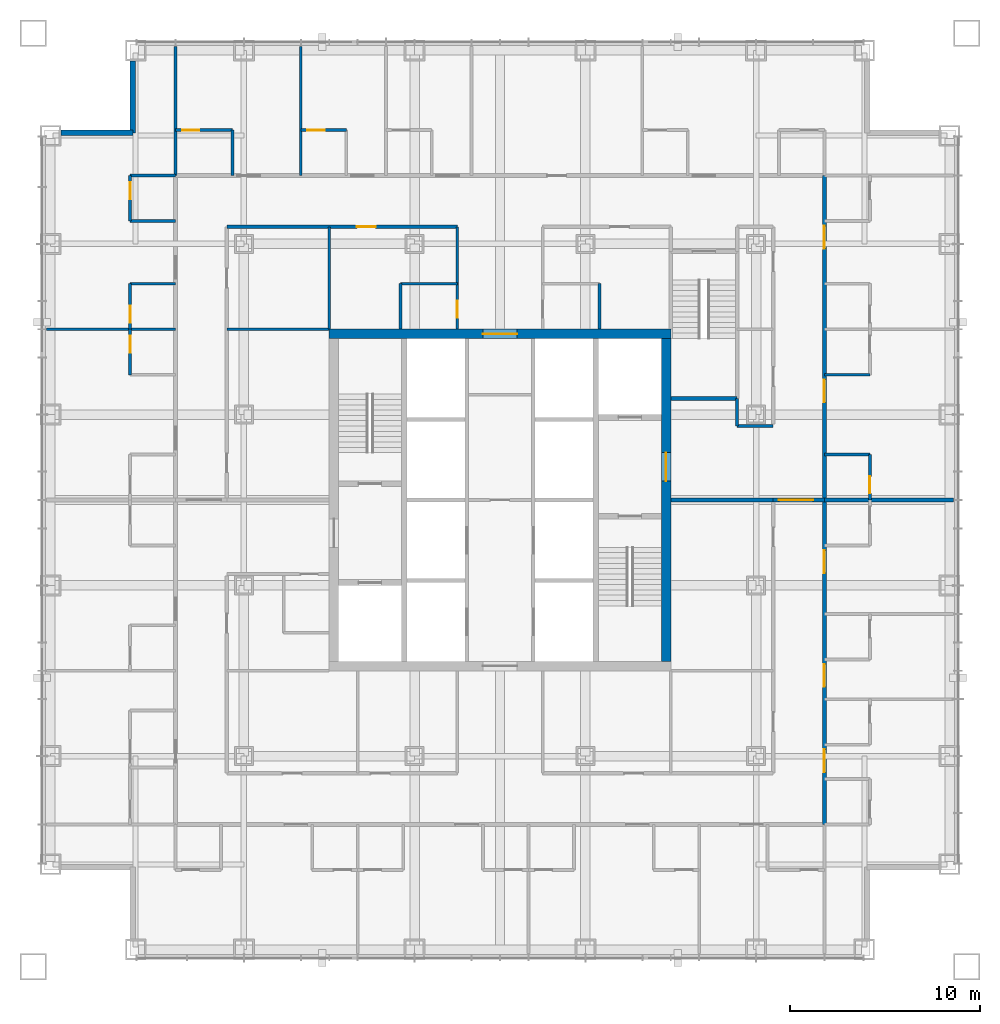
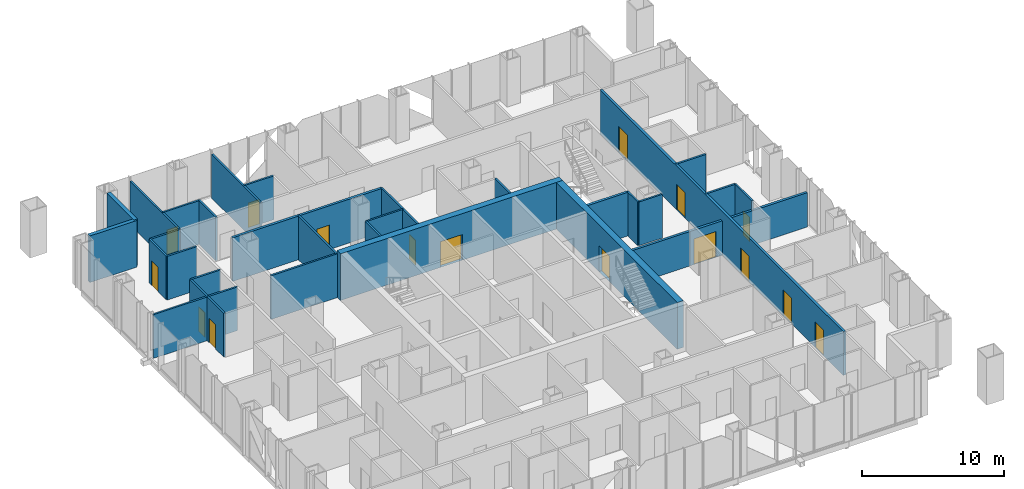
# One storey, part 11 of 18: 33 walls, 16 doors, 16 openings.
"""IFC4 building model written with IfcOpenShell, lengths in metres."""

import ifcopenshell
import ifcopenshell.guid

model = None  # the IFC model being written
_history = None  # IfcOwnerHistory: only IFC2X3 demands one
_inside = {}  # id of a spatial element -> (the spatial element, [elements in it])
_under = {}  # id of a project, library or spatial element -> (it, [spatial elements below it])
_declared = {}  # id of a project -> (the project, [libraries it declares])
_typed = {}  # id of a type object -> (the type object, [elements of that type])
_made_of = {}  # id of a material, layer set ... -> (it, [elements and type objects made of it])


def new_model(schema):
    """Start an empty IFC model of exactly this schema.

    Asked for "IFC4X3", IfcOpenShell would pick the latest addendum, in which some entities
    have other attributes; the version numbers below select the first issue.
    IFC2X3 requires an IfcOwnerHistory on every rooted entity: one is made here for all.
    """
    global model, _history
    if schema == "IFC4X3":
        model = ifcopenshell.file(schema_version=(4, 3, 0, 0))
    else:
        model = ifcopenshell.file(schema=schema)
    _inside.clear()
    _under.clear()
    _declared.clear()
    _typed.clear()
    _made_of.clear()
    _history = None
    if model.schema == "IFC2X3":
        org = make("IfcOrganization", Name="unknown")
        user = make(
            "IfcPersonAndOrganization",
            ThePerson=make("IfcPerson", FamilyName="unknown"),
            TheOrganization=org,
        )
        app = make(
            "IfcApplication",
            ApplicationDeveloper=org,
            Version="unknown",
            ApplicationFullName="unknown",
            ApplicationIdentifier="unknown",
        )
        _history = make(
            "IfcOwnerHistory",
            OwningUser=user,
            OwningApplication=app,
            ChangeAction="ADDED",
            CreationDate=0,
        )
    return model


def make(cls, **values):
    """One entity of the class cls with the attributes given. An attribute that is None is left unset."""
    return model.create_entity(
        cls, **{name: value for name, value in values.items() if value is not None}
    )


def rooted(cls, **values):
    """An entity with a GlobalId (a new one), such as an element, a storey or a relation."""
    return make(cls, GlobalId=ifcopenshell.guid.new(), OwnerHistory=_history, **values)


def si_unit(unit_type, name, prefix=None):
    """IfcSIUnit, for example si_unit("LENGTHUNIT", "METRE", prefix="MILLI")."""
    return make("IfcSIUnit", UnitType=unit_type, Prefix=prefix, Name=name)


def assignment(units):
    """IfcUnitAssignment: the units of a project."""
    return None if units is None else make("IfcUnitAssignment", Units=units)


def point(xyz):
    """IfcCartesianPoint."""
    return None if xyz is None else make("IfcCartesianPoint", Coordinates=xyz)


def direction(xyz):
    """IfcDirection."""
    return None if xyz is None else make("IfcDirection", DirectionRatios=xyz)


def frame(location, z_axis=None, x_axis=None):
    """IfcAxis2Placement3D, a coordinate frame: its origin and axes. An axis left out is left unset."""
    return make(
        "IfcAxis2Placement3D",
        Location=point(location),
        Axis=direction(z_axis),
        RefDirection=direction(x_axis),
    )


def frame_2d(location, x_axis=None):
    """IfcAxis2Placement2D, a coordinate frame in the plane: its origin and x axis."""
    return make(
        "IfcAxis2Placement2D", Location=point(location), RefDirection=direction(x_axis)
    )


def origin():
    """The frame at (0, 0, 0) with its axes left unset."""
    return frame((0.0, 0.0, 0.0))


def place(relative_to, where):
    """IfcLocalPlacement: puts the frame where relative to a parent placement (None: the world)."""
    return make(
        "IfcLocalPlacement", PlacementRelTo=relative_to, RelativePlacement=where
    )


def context(
    kind, dimensions, precision=None, world=None, true_north=None, identifier=None
):
    """IfcGeometricRepresentationContext, for example the 3D "Model" context."""
    return make(
        "IfcGeometricRepresentationContext",
        ContextIdentifier=identifier,
        ContextType=kind,
        CoordinateSpaceDimension=dimensions,
        Precision=precision,
        WorldCoordinateSystem=world,
        TrueNorth=true_north,
    )


def subcontext(parent, identifier, kind, view, scale=None):
    """IfcGeometricRepresentationSubContext, for example "Body" below "Model"."""
    return make(
        "IfcGeometricRepresentationSubContext",
        ContextIdentifier=identifier,
        ContextType=kind,
        ParentContext=parent,
        TargetScale=scale,
        TargetView=view,
    )


def project(units=None, contexts=None):
    """IfcProject with its units and contexts."""
    return rooted(
        "IfcProject",
        Name="project",
        RepresentationContexts=contexts,
        UnitsInContext=assignment(units),
    )


def spatial(cls, under=None, at=None, **own):
    """A site, building, storey or space (cls), placed at a placement, below another one or the project."""
    s = rooted(cls, ObjectPlacement=at, **own)
    if under is not None:
        _under.setdefault(under.id(), (under, []))[1].append(s)
    return s


def profile(cls, at=None, kind="AREA", **sizes):
    """A parametric profile (cls). Its sizes go by their IFC names, for example OverallWidth=200.0."""
    return make(cls, ProfileType=kind, Position=at, **sizes)


def rectangle(**sizes):
    """IfcRectangleProfileDef."""
    return profile("IfcRectangleProfileDef", **sizes)


def extrude(swept, where, along, depth):
    """IfcExtrudedAreaSolid: the profile swept, set in the frame where, extruded along a direction by depth."""
    return make(
        "IfcExtrudedAreaSolid",
        SweptArea=swept,
        Position=where,
        ExtrudedDirection=direction(along),
        Depth=depth,
    )


def shape(context_of_items, identifier, shape_type, items):
    """IfcShapeRepresentation: the items that make up one representation, for example the "Body"."""
    return make(
        "IfcShapeRepresentation",
        ContextOfItems=context_of_items,
        RepresentationIdentifier=identifier,
        RepresentationType=shape_type,
        Items=items,
    )


def material(Name=None, Category=None):
    """IfcMaterial."""
    return make("IfcMaterial", Name=Name, Category=Category)


def layer(
    of_material, thickness, ventilated=None, Name=None, Category=None, Priority=None
):
    """IfcMaterialLayer: one layer of a wall or slab, of a material (None: an air gap)."""
    return make(
        "IfcMaterialLayer",
        Material=of_material,
        LayerThickness=thickness,
        IsVentilated=ventilated,
        Name=Name,
        Category=Category,
        Priority=Priority,
    )


def layer_set(layers, Name=None):
    """IfcMaterialLayerSet."""
    return make("IfcMaterialLayerSet", MaterialLayers=layers, LayerSetName=Name)


def made_of(thing, what):
    """Note that an element or type object is made of a material, layer set ...; save() writes the relation."""
    if what is not None:
        _made_of.setdefault(what.id(), (what, []))[1].append(thing)
    return thing


def type_object(cls, material=None, **own):
    """A type object (cls), such as IfcWallType, which elements share."""
    return made_of(rooted(cls, **own), material)


def element(
    cls,
    number,
    at=None,
    inside=None,
    cuts=None,
    type_object=None,
    material=None,
    context=None,
    identifier="Body",
    shape_type=None,
    held_by="IfcProductDefinitionShape",
    body=None,
    shapes=None,
    **own,
):
    """One element of the class cls, such as IfcWall. Its Tag is "e" and its number.

    at: its placement. inside: the storey or other place that contains it. cuts: it is an
    opening in that element (IfcRelVoidsElement). A single representation is given by context,
    identifier, shape_type and body (its items); several are given by shapes. held_by: the class
    of the entity that holds the representations. save() writes the other relations.
    """
    e = rooted(cls, Tag="e%d" % number, ObjectPlacement=at, **own)
    if body is not None:
        shapes = [shape(context, identifier, shape_type, body)]
    if shapes is not None:
        e.Representation = make(held_by, Representations=shapes)
    if inside is not None:
        _inside.setdefault(inside.id(), (inside, []))[1].append(e)
    if cuts is not None:
        rooted(
            "IfcRelVoidsElement", RelatingBuildingElement=cuts, RelatedOpeningElement=e
        )
    if type_object is not None:
        _typed.setdefault(type_object.id(), (type_object, []))[1].append(e)
    return made_of(e, material)


def fill(opening, filler):
    """IfcRelFillsElement: the door or window that sits in an opening."""
    return rooted(
        "IfcRelFillsElement",
        RelatingOpeningElement=opening,
        RelatedBuildingElement=filler,
    )


def aggregate(whole, parts):
    """IfcRelAggregates: a whole, such as a stair, and the parts it consists of."""
    return rooted("IfcRelAggregates", RelatingObject=whole, RelatedObjects=parts)


def save(model, path):
    """Write the relations noted so far, then the file.

    IfcRelAggregates (storeys below a building ...), IfcRelContainedInSpatialStructure (elements
    in a storey), IfcRelDefinesByType, IfcRelAssociatesMaterial and IfcRelDeclares: one each for
    every whole, place, type object, material and project.
    """
    for whole, parts in _under.values():
        aggregate(whole, parts)
    for where, things in _inside.values():
        rooted(
            "IfcRelContainedInSpatialStructure",
            RelatedElements=things,
            RelatingStructure=where,
        )
    for kind, things in _typed.values():
        rooted("IfcRelDefinesByType", RelatedObjects=things, RelatingType=kind)
    for what, things in _made_of.values():
        rooted("IfcRelAssociatesMaterial", RelatedObjects=things, RelatingMaterial=what)
    for by, libraries in _declared.values():
        rooted("IfcRelDeclares", RelatingContext=by, RelatedDefinitions=libraries)
    model.write(path)


model = new_model("IFC4")

# Units and contexts
model_context = context("Model", 3, precision=1e-05, world=origin(), true_north=direction((0.0, 1.0)))
body_context = subcontext(model_context, "Body", "Model", "MODEL_VIEW")
ifc_project = project(units=[si_unit("LENGTHUNIT", "METRE"), si_unit("AREAUNIT", "SQUARE_METRE"), si_unit("VOLUMEUNIT", "CUBIC_METRE"), si_unit("PLANEANGLEUNIT", "RADIAN"), si_unit("MASSUNIT", "GRAM", prefix="KILO")], contexts=[model_context])

# Site, building, storey
site_placement = place(None, origin())
site = spatial("IfcSite", under=ifc_project, at=site_placement, CompositionType="ELEMENT")
building_placement = place(site_placement, origin())
building = spatial("IfcBuilding", under=site, at=building_placement, Name="Malebo Sky Hospital", CompositionType="ELEMENT")
storey_placement = place(building_placement, frame((0.0, 0.0, 112.0)))
storey = spatial("IfcBuildingStorey", under=building, at=storey_placement, Name="L26", CompositionType="ELEMENT", Elevation=112.0)

# Wall, opening, door
ifc_material_1 = material(Name="Concrete C80/95", Category="concrete")
ifc_layer_1 = layer(ifc_material_1, 0.5)
ifc_layer_set_1 = layer_set([ifc_layer_1], Name="CORE WALL 500")
wall_type_1 = type_object("IfcWallType", Name="CORE WALL 500", PredefinedType="SHEAR", material=ifc_layer_set_1)
wall_1_placement = place(storey_placement, frame((51.0, 70.75, 0.0), z_axis=(0.0, 0.0, 1.0), x_axis=(1.0, 0.0, 0.0)))
wall_1 = element("IfcWall", 1, at=wall_1_placement, inside=storey, type_object=wall_type_1, Name="Core wall N L26", PredefinedType="SHEAR", context=body_context, shape_type="SweptSolid", body=[
    extrude(rectangle(XDim=18.0, YDim=0.5, at=frame_2d((9.0, 0.0))), origin(), (0.0, 0.0, 1.0), 4.0),
])
opening_1_placement = place(wall_1_placement, frame((8.10009765625, 0.0, 0.0)))
opening_1 = element("IfcOpeningElement", 2, at=opening_1_placement, cuts=wall_1, Name="Opening D06", PredefinedType="OPENING", context=body_context, shape_type="SweptSolid", body=[
    extrude(rectangle(XDim=1.800048828125, YDim=2.199951171875, at=frame_2d((0.89990234375, 1.10009765625))), frame((0.0, 0.260009765625, 0.0), z_axis=(0.0, -1.0, 0.0), x_axis=(1.0, 0.0, 0.0)), (0.0, 0.0, 1.0), 0.52001953125),
])
ifc_material_2 = material(Name="Hardwood-faced door leaf in steel frame", Category="steel")
door_type_1 = type_object("IfcDoorType", Name="LOBBY DOOR PAIR 1800", OperationType="DOUBLE_DOOR_SINGLE_SWING", PredefinedType="DOOR", material=ifc_material_2)
door_1_placement = place(opening_1_placement, origin())
door_1 = element("IfcDoor", 3, at=door_1_placement, inside=storey, type_object=door_type_1, Name="vending room door north", OperationType="DOUBLE_DOOR_SINGLE_SWING", OverallHeight=2.199951171875, OverallWidth=1.800048828125, PredefinedType="DOOR", context=body_context, shape_type="SweptSolid", body=[
    extrude(rectangle(XDim=1.800048828125, YDim=2.199951171875, at=frame_2d((0.89990234375, 1.10009765625))), frame((0.0, 0.02490234375, 0.0), z_axis=(0.0, -1.0, 0.0), x_axis=(1.0, 0.0, 0.0)), (0.0, 0.0, 1.0), 0.050048828125),
])
fill(opening_1, door_1)

wall_2_placement = place(storey_placement, frame((68.75, 53.5, 0.0), z_axis=(0.0, 0.0, 1.0), x_axis=(0.0, 1.0, 0.0)))
wall_2 = element("IfcWall", 4, at=wall_2_placement, inside=storey, type_object=wall_type_1, Name="Core wall E L26", PredefinedType="SHEAR", context=body_context, shape_type="SweptSolid", body=[
    extrude(rectangle(XDim=17.0, YDim=0.5, at=frame_2d((8.5, 0.0))), origin(), (0.0, 0.0, 1.0), 4.0),
])
opening_2_placement = place(wall_2_placement, frame((9.5, 0.0, 0.0)))
opening_2 = element("IfcOpeningElement", 5, at=opening_2_placement, cuts=wall_2, Name="Opening D07", PredefinedType="OPENING", context=body_context, shape_type="SweptSolid", body=[
    extrude(rectangle(XDim=1.5, YDim=2.199951171875, at=frame_2d((0.75, 1.10009765625))), frame((0.0, 0.260009765625, 0.0), z_axis=(0.0, -1.0, 0.0), x_axis=(1.0, 0.0, 0.0)), (0.0, 0.0, 1.0), 0.52001953125),
])
door_type_2 = type_object("IfcDoorType", Name="FIRE-FIGHTING LOBBY DOOR PAIR 1500", OperationType="DOUBLE_DOOR_SINGLE_SWING", PredefinedType="DOOR", material=ifc_material_2)
door_2_placement = place(opening_2_placement, origin())
door_2 = element("IfcDoor", 6, at=door_2_placement, inside=storey, type_object=door_type_2, Name="Fire-fighting lobby door east", OperationType="DOUBLE_DOOR_SINGLE_SWING", OverallHeight=2.199951171875, OverallWidth=1.5, PredefinedType="DOOR", context=body_context, shape_type="SweptSolid", body=[
    extrude(rectangle(XDim=1.5, YDim=2.199951171875, at=frame_2d((0.75, 1.10009765625))), frame((0.0, 0.02490234375, 0.0), z_axis=(0.0, -1.0, 0.0), x_axis=(1.0, 0.0, 0.0)), (0.0, 0.0, 1.0), 0.050048828125),
])
fill(opening_2, door_2)

ifc_material_3 = material(Name="Gypsum board on steel studs", Category="steel")
ifc_layer_2 = layer(ifc_material_3, 0.199951171875)
ifc_layer_set_2 = layer_set([ifc_layer_2], Name="CORRIDOR WALL 200")
wall_type_2 = type_object("IfcWallType", Name="CORRIDOR WALL 200", PredefinedType="PARTITIONING", material=ifc_layer_set_2)
wall_3_placement = place(storey_placement, frame((45.60009765625, 76.39990234375, 0.0), z_axis=(0.0, 0.0, 1.0), x_axis=(1.0, 0.0, 0.0)))
wall_3 = element("IfcWall", 7, at=wall_3_placement, inside=storey, type_object=wall_type_2, Name="Corridor Wall 200 NCI1", PredefinedType="PARTITIONING", context=body_context, shape_type="SweptSolid", body=[
    extrude(rectangle(XDim=12.14990234375, YDim=0.199951171875, at=frame_2d((6.074951171875, 0.0))), origin(), (0.0, 0.0, 1.0), 3.75),
])
opening_3_placement = place(wall_3_placement, frame((6.85009765625, 0.0, 0.0)))
opening_3 = element("IfcOpeningElement", 8, at=opening_3_placement, cuts=wall_3, Name="Opening D03", PredefinedType="OPENING", context=body_context, shape_type="SweptSolid", body=[
    extrude(rectangle(XDim=1.0, YDim=2.10009765625, at=frame_2d((0.5, 1.050048828125))), frame((0.0, 0.10986328125, 0.0), z_axis=(0.0, -1.0, 0.0), x_axis=(1.0, 0.0, 0.0)), (0.0, 0.0, 1.0), 0.219970703125),
])
door_type_3 = type_object("IfcDoorType", Name="ROOM DOOR 1000", OperationType="SINGLE_SWING_LEFT", PredefinedType="DOOR", material=ifc_material_2)
door_3_placement = place(opening_3_placement, origin())
door_3 = element("IfcDoor", 9, at=door_3_placement, inside=storey, type_object=door_type_3, Name="Interview room door", OperationType="SINGLE_SWING_LEFT", OverallHeight=2.10009765625, OverallWidth=1.0, PredefinedType="DOOR", context=body_context, shape_type="SweptSolid", body=[
    extrude(rectangle(XDim=1.0, YDim=2.10009765625, at=frame_2d((0.5, 1.050048828125))), frame((0.0, 0.02490234375, 0.0), z_axis=(0.0, -1.0, 0.0), x_axis=(1.0, 0.0, 0.0)), (0.0, 0.0, 1.0), 0.050048828125),
])
fill(opening_3, door_3)

# Wall, openings, doors
wall_4_placement = place(storey_placement, frame((77.10009765625, 79.10009765625, 0.0), z_axis=(0.0, 0.0, 1.0), x_axis=(0.0, -1.0, 0.0)))
wall_4 = element("IfcWall", 10, at=wall_4_placement, inside=storey, type_object=wall_type_2, Name="Corridor Wall 200 ECO", PredefinedType="PARTITIONING", context=body_context, shape_type="SweptSolid", body=[
    extrude(rectangle(XDim=34.2001953125, YDim=0.199951171875, at=frame_2d((17.10009765625, 0.0))), origin(), (0.0, 0.0, 1.0), 3.75),
])
opening_4_placement = place(wall_4_placement, frame((2.64990234375, 0.0, 0.0)))
opening_4 = element("IfcOpeningElement", 11, at=opening_4_placement, cuts=wall_4, Name="Opening D01", PredefinedType="OPENING", context=body_context, shape_type="SweptSolid", body=[
    extrude(rectangle(XDim=1.199951171875, YDim=2.199951171875, at=frame_2d((0.60009765625, 1.10009765625))), frame((0.0, 0.10986328125, 0.0), z_axis=(0.0, -1.0, 0.0), x_axis=(1.0, 0.0, 0.0)), (0.0, 0.0, 1.0), 0.219970703125),
])
opening_5_placement = place(wall_4_placement, frame((10.75, 0.0, 0.0)))
opening_5 = element("IfcOpeningElement", 12, at=opening_5_placement, cuts=wall_4, Name="Opening D01", PredefinedType="OPENING", context=body_context, shape_type="SweptSolid", body=[
    extrude(rectangle(XDim=1.199951171875, YDim=2.199951171875, at=frame_2d((0.60009765625, 1.10009765625))), frame((0.0, 0.10986328125, 0.0), z_axis=(0.0, -1.0, 0.0), x_axis=(1.0, 0.0, 0.0)), (0.0, 0.0, 1.0), 0.219970703125),
])
opening_6_placement = place(wall_4_placement, frame((19.75, 0.0, 0.0)))
opening_6 = element("IfcOpeningElement", 13, at=opening_6_placement, cuts=wall_4, Name="Opening D01", PredefinedType="OPENING", context=body_context, shape_type="SweptSolid", body=[
    extrude(rectangle(XDim=1.199951171875, YDim=2.199951171875, at=frame_2d((0.60009765625, 1.10009765625))), frame((0.0, 0.10986328125, 0.0), z_axis=(0.0, -1.0, 0.0), x_axis=(1.0, 0.0, 0.0)), (0.0, 0.0, 1.0), 0.219970703125),
])
opening_7_placement = place(wall_4_placement, frame((25.75, 0.0, 0.0)))
opening_7 = element("IfcOpeningElement", 14, at=opening_7_placement, cuts=wall_4, Name="Opening D01", PredefinedType="OPENING", context=body_context, shape_type="SweptSolid", body=[
    extrude(rectangle(XDim=1.199951171875, YDim=2.199951171875, at=frame_2d((0.60009765625, 1.10009765625))), frame((0.0, 0.10986328125, 0.0), z_axis=(0.0, -1.0, 0.0), x_axis=(1.0, 0.0, 0.0)), (0.0, 0.0, 1.0), 0.219970703125),
])
opening_8_placement = place(wall_4_placement, frame((30.25, 0.0, 0.0)))
opening_8 = element("IfcOpeningElement", 15, at=opening_8_placement, cuts=wall_4, Name="Opening D01", PredefinedType="OPENING", context=body_context, shape_type="SweptSolid", body=[
    extrude(rectangle(XDim=1.199951171875, YDim=2.199951171875, at=frame_2d((0.60009765625, 1.10009765625))), frame((0.0, 0.10986328125, 0.0), z_axis=(0.0, -1.0, 0.0), x_axis=(1.0, 0.0, 0.0)), (0.0, 0.0, 1.0), 0.219970703125),
])
door_type_4 = type_object("IfcDoorType", Name="BED DOOR 1200", OperationType="SINGLE_SWING_LEFT", PredefinedType="DOOR", material=ifc_material_2)
door_4_placement = place(opening_4_placement, origin())
door_4 = element("IfcDoor", 16, at=door_4_placement, inside=storey, type_object=door_type_4, Name="Four-bed bay door", OperationType="SINGLE_SWING_LEFT", OverallHeight=2.199951171875, OverallWidth=1.199951171875, PredefinedType="DOOR", context=body_context, shape_type="SweptSolid", body=[
    extrude(rectangle(XDim=1.199951171875, YDim=2.199951171875, at=frame_2d((0.60009765625, 1.10009765625))), frame((0.0, 0.02490234375, 0.0), z_axis=(0.0, -1.0, 0.0), x_axis=(1.0, 0.0, 0.0)), (0.0, 0.0, 1.0), 0.050048828125),
])
fill(opening_4, door_4)
door_5_placement = place(opening_5_placement, origin())
door_5 = element("IfcDoor", 17, at=door_5_placement, inside=storey, type_object=door_type_4, Name="Four-bed bay door", OperationType="SINGLE_SWING_LEFT", OverallHeight=2.199951171875, OverallWidth=1.199951171875, PredefinedType="DOOR", context=body_context, shape_type="SweptSolid", body=[
    extrude(rectangle(XDim=1.199951171875, YDim=2.199951171875, at=frame_2d((0.60009765625, 1.10009765625))), frame((0.0, 0.02490234375, 0.0), z_axis=(0.0, -1.0, 0.0), x_axis=(1.0, 0.0, 0.0)), (0.0, 0.0, 1.0), 0.050048828125),
])
fill(opening_5, door_5)
door_6_placement = place(opening_6_placement, origin())
door_6 = element("IfcDoor", 18, at=door_6_placement, inside=storey, type_object=door_type_4, Name="Single bed room door", OperationType="SINGLE_SWING_LEFT", OverallHeight=2.199951171875, OverallWidth=1.199951171875, PredefinedType="DOOR", context=body_context, shape_type="SweptSolid", body=[
    extrude(rectangle(XDim=1.199951171875, YDim=2.199951171875, at=frame_2d((0.60009765625, 1.10009765625))), frame((0.0, 0.02490234375, 0.0), z_axis=(0.0, -1.0, 0.0), x_axis=(1.0, 0.0, 0.0)), (0.0, 0.0, 1.0), 0.050048828125),
])
fill(opening_6, door_6)
door_7_placement = place(opening_7_placement, origin())
door_7 = element("IfcDoor", 19, at=door_7_placement, inside=storey, type_object=door_type_4, Name="Single bed room door", OperationType="SINGLE_SWING_LEFT", OverallHeight=2.199951171875, OverallWidth=1.199951171875, PredefinedType="DOOR", context=body_context, shape_type="SweptSolid", body=[
    extrude(rectangle(XDim=1.199951171875, YDim=2.199951171875, at=frame_2d((0.60009765625, 1.10009765625))), frame((0.0, 0.02490234375, 0.0), z_axis=(0.0, -1.0, 0.0), x_axis=(1.0, 0.0, 0.0)), (0.0, 0.0, 1.0), 0.050048828125),
])
fill(opening_7, door_7)
door_8_placement = place(opening_8_placement, origin())
door_8 = element("IfcDoor", 20, at=door_8_placement, inside=storey, type_object=door_type_4, Name="Four-bed bay door", OperationType="SINGLE_SWING_LEFT", OverallHeight=2.199951171875, OverallWidth=1.199951171875, PredefinedType="DOOR", context=body_context, shape_type="SweptSolid", body=[
    extrude(rectangle(XDim=1.199951171875, YDim=2.199951171875, at=frame_2d((0.60009765625, 1.10009765625))), frame((0.0, 0.02490234375, 0.0), z_axis=(0.0, -1.0, 0.0), x_axis=(1.0, 0.0, 0.0)), (0.0, 0.0, 1.0), 0.050048828125),
])
fill(opening_8, door_8)

# Walls
ifc_material_4 = material(Name="Anodised aluminium rainscreen on steel framing", Category="steel")
ifc_layer_3 = layer(ifc_material_4, 0.300048828125)
ifc_layer_set_3 = layer_set([ifc_layer_3], Name="NOTCH RAINSCREEN WALL 300")
wall_type_3 = type_object("IfcWallType", Name="NOTCH RAINSCREEN WALL 300", PredefinedType="ELEMENTEDWALL", material=ifc_layer_set_3)
for number, where, z_axis, x_axis, name in (
    (21, (36.85009765625, 81.35009765625, 0.0), (0.0, 0.0, 1.0), (1.0, 0.0, 0.0), "Notch rainscreen wall W1 L26"),
    (22, (40.64990234375, 81.35009765625, 0.0), (0.0, 0.0, 1.0), (0.0, 1.0, 0.0), "Notch rainscreen wall W2 L26"),
):
    element("IfcWall", number, at=place(storey_placement, frame(where, z_axis=z_axis, x_axis=x_axis)), inside=storey, type_object=wall_type_3, Name=name, PredefinedType="ELEMENTEDWALL", context=body_context, shape_type="SweptSolid", body=[
        extrude(rectangle(XDim=3.7998046875, YDim=0.300048828125, at=frame_2d((1.89990234375, 0.0))), origin(), (0.0, 0.0, 1.0), 4.0),
    ])
ifc_layer_4 = layer(ifc_material_3, 0.14990234375)
ifc_layer_set_4 = layer_set([ifc_layer_4], Name="PARTITION 150")
wall_type_4 = type_object("IfcWallType", Name="PARTITION 150", PredefinedType="PARTITIONING", material=ifc_layer_set_4)
for number, where, z_axis, x_axis, name in (
    (23, (49.5, 79.10009765625, 0.0), (0.0, 0.0, 1.0), (0.0, 1.0, 0.0), "Partition 150 NP-10.5"),
    (24, (42.89990234375, 79.10009765625, 0.0), (0.0, 0.0, 1.0), (0.0, 1.0, 0.0), "Partition 150 NP0"),
):
    element("IfcWall", number, at=place(storey_placement, frame(where, z_axis=z_axis, x_axis=x_axis)), inside=storey, type_object=wall_type_4, Name=name, PredefinedType="PARTITIONING", context=body_context, shape_type="SweptSolid", body=[
        extrude(rectangle(XDim=6.809814453125, YDim=0.14990234375, at=frame_2d((3.40478515625, 0.0))), origin(), (0.0, 0.0, 1.0), 3.75),
    ])

# Wall, opening, door
wall_5_placement = place(storey_placement, frame((42.89990234375, 81.5, 0.0), z_axis=(0.0, 0.0, 1.0), x_axis=(1.0, 0.0, 0.0)))
wall_5 = element("IfcWall", 25, at=wall_5_placement, inside=storey, type_object=wall_type_4, Name="Partition 150 NE0F", PredefinedType="PARTITIONING", context=body_context, shape_type="SweptSolid", body=[
    extrude(rectangle(XDim=3.0, YDim=0.14990234375, at=frame_2d((1.5, 0.0))), origin(), (0.0, 0.0, 1.0), 3.75),
])
opening_9_placement = place(wall_5_placement, frame((0.35009765625, 0.0, 0.0)))
opening_9 = element("IfcOpeningElement", 26, at=opening_9_placement, cuts=wall_5, Name="Opening D02", PredefinedType="OPENING", context=body_context, shape_type="SweptSolid", body=[
    extrude(rectangle(XDim=0.89990234375, YDim=2.10009765625, at=frame_2d((0.449951171875, 1.050048828125))), frame((0.0, 0.0849609375, 0.0), z_axis=(0.0, -1.0, 0.0), x_axis=(1.0, 0.0, 0.0)), (0.0, 0.0, 1.0), 0.169921875),
])
door_type_5 = type_object("IfcDoorType", Name="EN-SUITE DOOR 900", OperationType="SINGLE_SWING_LEFT", PredefinedType="DOOR", material=ifc_material_2)
door_9_placement = place(opening_9_placement, origin())
door_9 = element("IfcDoor", 27, at=door_9_placement, inside=storey, type_object=door_type_5, Name="En-suite door", OperationType="SINGLE_SWING_LEFT", OverallHeight=2.10009765625, OverallWidth=0.89990234375, PredefinedType="DOOR", context=body_context, shape_type="SweptSolid", body=[
    extrude(rectangle(XDim=0.89990234375, YDim=2.10009765625, at=frame_2d((0.449951171875, 1.050048828125))), frame((0.0, 0.02490234375, 0.0), z_axis=(0.0, -1.0, 0.0), x_axis=(1.0, 0.0, 0.0)), (0.0, 0.0, 1.0), 0.050048828125),
])
fill(opening_9, door_9)

# Wall
wall_6_placement = place(storey_placement, frame((45.89990234375, 79.10009765625, 0.0), z_axis=(0.0, 0.0, 1.0), x_axis=(0.0, 1.0, 0.0)))
element("IfcWall", 28, at=wall_6_placement, inside=storey, type_object=wall_type_4, Name="Partition 150 NE0S", PredefinedType="PARTITIONING", context=body_context, shape_type="SweptSolid", body=[
    extrude(rectangle(XDim=2.39990234375, YDim=0.14990234375, at=frame_2d((1.199951171875, 0.0))), origin(), (0.0, 0.0, 1.0), 3.75),
])

# Wall, opening, door
wall_7_placement = place(storey_placement, frame((49.5, 81.5, 0.0), z_axis=(0.0, 0.0, 1.0), x_axis=(1.0, 0.0, 0.0)))
wall_7 = element("IfcWall", 29, at=wall_7_placement, inside=storey, type_object=wall_type_4, Name="Partition 150 NE1F", PredefinedType="PARTITIONING", context=body_context, shape_type="SweptSolid", body=[
    extrude(rectangle(XDim=2.39990234375, YDim=0.14990234375, at=frame_2d((1.199951171875, 0.0))), origin(), (0.0, 0.0, 1.0), 3.75),
])
opening_10_placement = place(wall_7_placement, frame((0.35009765625, 0.0, 0.0)))
opening_10 = element("IfcOpeningElement", 30, at=opening_10_placement, cuts=wall_7, Name="Opening D02", PredefinedType="OPENING", context=body_context, shape_type="SweptSolid", body=[
    extrude(rectangle(XDim=0.89990234375, YDim=2.10009765625, at=frame_2d((0.449951171875, 1.050048828125))), frame((0.0, 0.0849609375, 0.0), z_axis=(0.0, -1.0, 0.0), x_axis=(1.0, 0.0, 0.0)), (0.0, 0.0, 1.0), 0.169921875),
])
door_10_placement = place(opening_10_placement, origin())
door_10 = element("IfcDoor", 31, at=door_10_placement, inside=storey, type_object=door_type_5, Name="En-suite door", OperationType="SINGLE_SWING_LEFT", OverallHeight=2.10009765625, OverallWidth=0.89990234375, PredefinedType="DOOR", context=body_context, shape_type="SweptSolid", body=[
    extrude(rectangle(XDim=0.89990234375, YDim=2.10009765625, at=frame_2d((0.449951171875, 1.050048828125))), frame((0.0, 0.02490234375, 0.0), z_axis=(0.0, -1.0, 0.0), x_axis=(1.0, 0.0, 0.0)), (0.0, 0.0, 1.0), 0.050048828125),
])
fill(opening_10, door_10)

# Wall
wall_8_placement = place(storey_placement, frame((51.0, 71.0, 0.0), z_axis=(0.0, 0.0, 1.0), x_axis=(0.0, 1.0, 0.0)))
element("IfcWall", 32, at=wall_8_placement, inside=storey, type_object=wall_type_4, Name="Partition 150 NSP0", PredefinedType="PARTITIONING", context=body_context, shape_type="SweptSolid", body=[
    extrude(rectangle(XDim=5.39990234375, YDim=0.14990234375, at=frame_2d((2.699951171875, 0.0))), origin(), (0.0, 0.0, 1.0), 3.75),
])

# Wall, opening, door
wall_9_placement = place(storey_placement, frame((57.75, 71.0, 0.0), z_axis=(0.0, 0.0, 1.0), x_axis=(0.0, 1.0, 0.0)))
wall_9 = element("IfcWall", 33, at=wall_9_placement, inside=storey, type_object=wall_type_4, Name="Partition 150 NSPA", PredefinedType="PARTITIONING", context=body_context, shape_type="SweptSolid", body=[
    extrude(rectangle(XDim=5.39990234375, YDim=0.14990234375, at=frame_2d((2.699951171875, 0.0))), origin(), (0.0, 0.0, 1.0), 3.75),
])
opening_11_placement = place(wall_9_placement, frame((0.60009765625, 0.0, 0.0)))
opening_11 = element("IfcOpeningElement", 34, at=opening_11_placement, cuts=wall_9, Name="Opening D04", PredefinedType="OPENING", context=body_context, shape_type="SweptSolid", body=[
    extrude(rectangle(XDim=0.89990234375, YDim=2.10009765625, at=frame_2d((0.449951171875, 1.050048828125))), frame((0.0, 0.0849609375, 0.0), z_axis=(0.0, -1.0, 0.0), x_axis=(1.0, 0.0, 0.0)), (0.0, 0.0, 1.0), 0.169921875),
])
door_type_6 = type_object("IfcDoorType", Name="ROOM DOOR 900", OperationType="SINGLE_SWING_LEFT", PredefinedType="DOOR", material=ifc_material_2)
door_11_placement = place(opening_11_placement, origin())
door_11 = element("IfcDoor", 35, at=door_11_placement, inside=storey, type_object=door_type_6, Name="Staff WC door", OperationType="SINGLE_SWING_LEFT", OverallHeight=2.10009765625, OverallWidth=0.89990234375, PredefinedType="DOOR", context=body_context, shape_type="SweptSolid", body=[
    extrude(rectangle(XDim=0.89990234375, YDim=2.10009765625, at=frame_2d((0.449951171875, 1.050048828125))), frame((0.0, 0.02490234375, 0.0), z_axis=(0.0, -1.0, 0.0), x_axis=(1.0, 0.0, 0.0)), (0.0, 0.0, 1.0), 0.050048828125),
])
fill(opening_11, door_11)

# Walls
wall_10_placement = place(storey_placement, frame((54.75, 73.39990234375, 0.0), z_axis=(0.0, 0.0, 1.0), x_axis=(1.0, 0.0, 0.0)))
element("IfcWall", 36, at=wall_10_placement, inside=storey, type_object=wall_type_4, Name="Partition 150 NSX0", PredefinedType="PARTITIONING", context=body_context, shape_type="SweptSolid", body=[
    extrude(rectangle(XDim=3.0, YDim=0.14990234375, at=frame_2d((1.5, 0.0))), origin(), (0.0, 0.0, 1.0), 3.75),
])
for number, where, z_axis, x_axis, name in (
    (37, (54.75, 71.0, 0.0), (0.0, 0.0, 1.0), (0.0, 1.0, 0.0), "Partition 150 NSY0"),
    (38, (65.25, 71.0, 0.0), (0.0, 0.0, 1.0), (0.0, 1.0, 0.0), "Partition 150 NSY1"),
):
    element("IfcWall", number, at=place(storey_placement, frame(where, z_axis=z_axis, x_axis=x_axis)), inside=storey, type_object=wall_type_4, Name=name, PredefinedType="PARTITIONING", context=body_context, shape_type="SweptSolid", body=[
        extrude(rectangle(XDim=2.39990234375, YDim=0.14990234375, at=frame_2d((1.199951171875, 0.0))), origin(), (0.0, 0.0, 1.0), 3.75),
    ])
wall_11_placement = place(storey_placement, frame((42.89990234375, 71.0, 0.0), z_axis=(0.0, 0.0, 1.0), x_axis=(-1.0, 0.0, 0.0)))
element("IfcWall", 39, at=wall_11_placement, inside=storey, type_object=wall_type_4, Name="Partition 150 WP+9.0", PredefinedType="PARTITIONING", context=body_context, shape_type="SweptSolid", body=[
    extrude(rectangle(XDim=6.809814453125, YDim=0.14990234375, at=frame_2d((3.40478515625, 0.0))), origin(), (0.0, 0.0, 1.0), 3.75),
])

# Wall, opening, door
wall_12_placement = place(storey_placement, frame((40.5, 68.60009765625, 0.0), z_axis=(0.0, 0.0, 1.0), x_axis=(0.0, 1.0, 0.0)))
wall_12 = element("IfcWall", 40, at=wall_12_placement, inside=storey, type_object=wall_type_4, Name="Partition 150 WG2F", PredefinedType="PARTITIONING", context=body_context, shape_type="SweptSolid", body=[
    extrude(rectangle(XDim=2.39990234375, YDim=0.14990234375, at=frame_2d((1.199951171875, 0.0))), origin(), (0.0, 0.0, 1.0), 3.75),
])
opening_12_placement = place(wall_12_placement, frame((1.14990234375, 0.0, 0.0)))
opening_12 = element("IfcOpeningElement", 41, at=opening_12_placement, cuts=wall_12, Name="Opening D02", PredefinedType="OPENING", context=body_context, shape_type="SweptSolid", body=[
    extrude(rectangle(XDim=0.89990234375, YDim=2.10009765625, at=frame_2d((0.449951171875, 1.050048828125))), frame((0.0, 0.0849609375, 0.0), z_axis=(0.0, -1.0, 0.0), x_axis=(1.0, 0.0, 0.0)), (0.0, 0.0, 1.0), 0.169921875),
])
door_12_placement = place(opening_12_placement, origin())
door_12 = element("IfcDoor", 42, at=door_12_placement, inside=storey, type_object=door_type_5, Name="En-suite door", OperationType="SINGLE_SWING_RIGHT", OverallHeight=2.10009765625, OverallWidth=0.89990234375, PredefinedType="DOOR", context=body_context, shape_type="SweptSolid", body=[
    extrude(rectangle(XDim=0.89990234375, YDim=2.10009765625, at=frame_2d((0.449951171875, 1.050048828125))), frame((0.0, 0.02490234375, 0.0), z_axis=(0.0, -1.0, 0.0), x_axis=(1.0, 0.0, 0.0)), (0.0, 0.0, 1.0), 0.050048828125),
])
fill(opening_12, door_12)

wall_13_placement = place(storey_placement, frame((40.5, 71.0, 0.0), z_axis=(0.0, 0.0, 1.0), x_axis=(0.0, 1.0, 0.0)))
wall_13 = element("IfcWall", 43, at=wall_13_placement, inside=storey, type_object=wall_type_4, Name="Partition 150 WE3F", PredefinedType="PARTITIONING", context=body_context, shape_type="SweptSolid", body=[
    extrude(rectangle(XDim=2.39990234375, YDim=0.14990234375, at=frame_2d((1.199951171875, 0.0))), origin(), (0.0, 0.0, 1.0), 3.75),
])
opening_13_placement = place(wall_13_placement, frame((0.35009765625, 0.0, 0.0)))
opening_13 = element("IfcOpeningElement", 44, at=opening_13_placement, cuts=wall_13, Name="Opening D02", PredefinedType="OPENING", context=body_context, shape_type="SweptSolid", body=[
    extrude(rectangle(XDim=0.89990234375, YDim=2.10009765625, at=frame_2d((0.449951171875, 1.050048828125))), frame((0.0, 0.0849609375, 0.0), z_axis=(0.0, -1.0, 0.0), x_axis=(1.0, 0.0, 0.0)), (0.0, 0.0, 1.0), 0.169921875),
])
door_13_placement = place(opening_13_placement, origin())
door_13 = element("IfcDoor", 45, at=door_13_placement, inside=storey, type_object=door_type_5, Name="En-suite door", OperationType="SINGLE_SWING_LEFT", OverallHeight=2.10009765625, OverallWidth=0.89990234375, PredefinedType="DOOR", context=body_context, shape_type="SweptSolid", body=[
    extrude(rectangle(XDim=0.89990234375, YDim=2.10009765625, at=frame_2d((0.449951171875, 1.050048828125))), frame((0.0, 0.02490234375, 0.0), z_axis=(0.0, -1.0, 0.0), x_axis=(1.0, 0.0, 0.0)), (0.0, 0.0, 1.0), 0.050048828125),
])
fill(opening_13, door_13)

# Wall
wall_14_placement = place(storey_placement, frame((42.89990234375, 73.39990234375, 0.0), z_axis=(0.0, 0.0, 1.0), x_axis=(-1.0, 0.0, 0.0)))
element("IfcWall", 46, at=wall_14_placement, inside=storey, type_object=wall_type_4, Name="Partition 150 WE3S", PredefinedType="PARTITIONING", context=body_context, shape_type="SweptSolid", body=[
    extrude(rectangle(XDim=2.39990234375, YDim=0.14990234375, at=frame_2d((1.199951171875, 0.0))), origin(), (0.0, 0.0, 1.0), 3.75),
])

# Wall, opening, door
wall_15_placement = place(storey_placement, frame((40.5, 76.699951171875, 0.0), z_axis=(0.0, 0.0, 1.0), x_axis=(0.0, 1.0, 0.0)))
wall_15 = element("IfcWall", 47, at=wall_15_placement, inside=storey, type_object=wall_type_4, Name="Partition 150 WG3F", PredefinedType="PARTITIONING", context=body_context, shape_type="SweptSolid", body=[
    extrude(rectangle(XDim=2.400146484375, YDim=0.14990234375, at=frame_2d((1.2001953125, 0.0))), origin(), (0.0, 0.0, 1.0), 3.75),
])
opening_14_placement = place(wall_15_placement, frame((1.14990234375, 0.0, 0.0)))
opening_14 = element("IfcOpeningElement", 48, at=opening_14_placement, cuts=wall_15, Name="Opening D02", PredefinedType="OPENING", context=body_context, shape_type="SweptSolid", body=[
    extrude(rectangle(XDim=0.89990234375, YDim=2.10009765625, at=frame_2d((0.449951171875, 1.050048828125))), frame((0.0, 0.0849609375, 0.0), z_axis=(0.0, -1.0, 0.0), x_axis=(1.0, 0.0, 0.0)), (0.0, 0.0, 1.0), 0.169921875),
])
door_14_placement = place(opening_14_placement, origin())
door_14 = element("IfcDoor", 49, at=door_14_placement, inside=storey, type_object=door_type_5, Name="En-suite door", OperationType="SINGLE_SWING_RIGHT", OverallHeight=2.10009765625, OverallWidth=0.89990234375, PredefinedType="DOOR", context=body_context, shape_type="SweptSolid", body=[
    extrude(rectangle(XDim=0.89990234375, YDim=2.10009765625, at=frame_2d((0.449951171875, 1.050048828125))), frame((0.0, 0.02490234375, 0.0), z_axis=(0.0, -1.0, 0.0), x_axis=(1.0, 0.0, 0.0)), (0.0, 0.0, 1.0), 0.050048828125),
])
fill(opening_14, door_14)

# Walls
for number, where, z_axis, x_axis, name in (
    (50, (42.89990234375, 76.699951171875, 0.0), (0.0, 0.0, 1.0), (-1.0, 0.0, 0.0), "Partition 150 WG3S"),
    (51, (42.89990234375, 79.10009765625, 0.0), (0.0, 0.0, 1.0), (-1.0, 0.0, 0.0), "Partition 150 WEZ"),
):
    element("IfcWall", number, at=place(storey_placement, frame(where, z_axis=z_axis, x_axis=x_axis)), inside=storey, type_object=wall_type_4, Name=name, PredefinedType="PARTITIONING", context=body_context, shape_type="SweptSolid", body=[
        extrude(rectangle(XDim=2.39990234375, YDim=0.14990234375, at=frame_2d((1.199951171875, 0.0))), origin(), (0.0, 0.0, 1.0), 3.75),
    ])
wall_16_placement = place(storey_placement, frame((51.0, 71.0, 0.0), z_axis=(0.0, 0.0, 1.0), x_axis=(-1.0, 0.0, 0.0)))
element("IfcWall", 52, at=wall_16_placement, inside=storey, type_object=wall_type_4, Name="Partition 150 WSP+9.0", PredefinedType="PARTITIONING", context=body_context, shape_type="SweptSolid", body=[
    extrude(rectangle(XDim=5.39990234375, YDim=0.14990234375, at=frame_2d((2.699951171875, 0.0))), origin(), (0.0, 0.0, 1.0), 3.75),
])
wall_17_placement = place(storey_placement, frame((77.10009765625, 68.60009765625, 0.0), z_axis=(0.0, 0.0, 1.0), x_axis=(1.0, 0.0, 0.0)))
element("IfcWall", 53, at=wall_17_placement, inside=storey, type_object=wall_type_4, Name="Partition 150 EE1S", PredefinedType="PARTITIONING", context=body_context, shape_type="SweptSolid", body=[
    extrude(rectangle(XDim=2.39990234375, YDim=0.14990234375, at=frame_2d((1.199951171875, 0.0))), origin(), (0.0, 0.0, 1.0), 3.75),
])

# Wall, opening, door
wall_18_placement = place(storey_placement, frame((79.5, 64.39990234375, 0.0), z_axis=(0.0, 0.0, 1.0), x_axis=(0.0, -1.0, 0.0)))
wall_18 = element("IfcWall", 54, at=wall_18_placement, inside=storey, type_object=wall_type_4, Name="Partition 150 EG1F", PredefinedType="PARTITIONING", context=body_context, shape_type="SweptSolid", body=[
    extrude(rectangle(XDim=2.39990234375, YDim=0.14990234375, at=frame_2d((1.199951171875, 0.0))), origin(), (0.0, 0.0, 1.0), 3.75),
])
opening_15_placement = place(wall_18_placement, frame((1.14990234375, 0.0, 0.0)))
opening_15 = element("IfcOpeningElement", 55, at=opening_15_placement, cuts=wall_18, Name="Opening D02", PredefinedType="OPENING", context=body_context, shape_type="SweptSolid", body=[
    extrude(rectangle(XDim=0.89990234375, YDim=2.10009765625, at=frame_2d((0.449951171875, 1.050048828125))), frame((0.0, 0.0849609375, 0.0), z_axis=(0.0, -1.0, 0.0), x_axis=(1.0, 0.0, 0.0)), (0.0, 0.0, 1.0), 0.169921875),
])
door_15_placement = place(opening_15_placement, origin())
door_15 = element("IfcDoor", 56, at=door_15_placement, inside=storey, type_object=door_type_5, Name="En-suite door", OperationType="SINGLE_SWING_RIGHT", OverallHeight=2.10009765625, OverallWidth=0.89990234375, PredefinedType="DOOR", context=body_context, shape_type="SweptSolid", body=[
    extrude(rectangle(XDim=0.89990234375, YDim=2.10009765625, at=frame_2d((0.449951171875, 1.050048828125))), frame((0.0, 0.02490234375, 0.0), z_axis=(0.0, -1.0, 0.0), x_axis=(1.0, 0.0, 0.0)), (0.0, 0.0, 1.0), 0.050048828125),
])
fill(opening_15, door_15)

# Walls
wall_19_placement = place(storey_placement, frame((77.10009765625, 64.39990234375, 0.0), z_axis=(0.0, 0.0, 1.0), x_axis=(1.0, 0.0, 0.0)))
element("IfcWall", 57, at=wall_19_placement, inside=storey, type_object=wall_type_4, Name="Partition 150 EG1S", PredefinedType="PARTITIONING", context=body_context, shape_type="SweptSolid", body=[
    extrude(rectangle(XDim=2.39990234375, YDim=0.14990234375, at=frame_2d((1.199951171875, 0.0))), origin(), (0.0, 0.0, 1.0), 3.75),
])
wall_20_placement = place(storey_placement, frame((72.5, 65.89990234375, 0.0), z_axis=(0.0, 0.0, 1.0), x_axis=(1.0, 0.0, 0.0)))
element("IfcWall", 58, at=wall_20_placement, inside=storey, type_object=wall_type_4, Name="Partition 150 ESPA", PredefinedType="PARTITIONING", context=body_context, shape_type="SweptSolid", body=[
    extrude(rectangle(XDim=1.89990234375, YDim=0.14990234375, at=frame_2d((0.949951171875, 0.0))), origin(), (0.0, 0.0, 1.0), 3.75),
])
wall_21_placement = place(storey_placement, frame((72.5, 65.89990234375, 0.0), z_axis=(0.0, 0.0, 1.0), x_axis=(0.0, 1.0, 0.0)))
element("IfcWall", 59, at=wall_21_placement, inside=storey, type_object=wall_type_4, Name="Partition 150 ST3C", PredefinedType="PARTITIONING", context=body_context, shape_type="SweptSolid", body=[
    extrude(rectangle(XDim=1.4501953125, YDim=0.14990234375, at=frame_2d((0.72509765625, 0.0))), origin(), (0.0, 0.0, 1.0), 3.75),
])
ifc_material_5 = material(Name="Concrete blockwork", Category="masonry")
ifc_layer_5 = layer(ifc_material_5, 0.199951171875)
ifc_layer_set_5 = layer_set([ifc_layer_5], Name="SMOKE BARRIER WALL 200")
wall_type_5 = type_object("IfcWallType", Name="SMOKE BARRIER WALL 200", PredefinedType="SOLIDWALL", material=ifc_layer_set_5)
wall_22_placement = place(storey_placement, frame((77.10009765625, 62.0, 0.0), z_axis=(0.0, 0.0, 1.0), x_axis=(1.0, 0.0, 0.0)))
element("IfcWall", 60, at=wall_22_placement, inside=storey, type_object=wall_type_5, Name="Smoke Barrier Wall 200 EP+0.0", PredefinedType="SOLIDWALL", context=body_context, shape_type="SweptSolid", body=[
    extrude(rectangle(XDim=6.809814453125, YDim=0.199951171875, at=frame_2d((3.40478515625, 0.0))), origin(), (0.0, 0.0, 1.0), 2.949951171875),
])
wall_23_placement = place(storey_placement, frame((69.0, 62.0, 0.0), z_axis=(0.0, 0.0, 1.0), x_axis=(1.0, 0.0, 0.0)))
element("IfcWall", 61, at=wall_23_placement, inside=storey, type_object=wall_type_5, Name="Smoke Barrier Wall 200 ESPB", PredefinedType="SOLIDWALL", context=body_context, shape_type="SweptSolid", body=[
    extrude(rectangle(XDim=5.39990234375, YDim=0.199951171875, at=frame_2d((2.699951171875, 0.0))), origin(), (0.0, 0.0, 1.0), 2.949951171875),
])

# Wall, opening, door
wall_24_placement = place(storey_placement, frame((74.39990234375, 62.0, 0.0), z_axis=(0.0, 0.0, 1.0), x_axis=(1.0, 0.0, 0.0)))
wall_24 = element("IfcWall", 62, at=wall_24_placement, inside=storey, type_object=wall_type_5, Name="Smoke Barrier Wall 200 ESB", PredefinedType="SOLIDWALL", context=body_context, shape_type="SweptSolid", body=[
    extrude(rectangle(XDim=2.7001953125, YDim=0.199951171875, at=frame_2d((1.35009765625, 0.0))), origin(), (0.0, 0.0, 1.0), 2.949951171875),
])
opening_16_placement = place(wall_24_placement, frame((0.300048828125, 0.0, 0.0)))
opening_16 = element("IfcOpeningElement", 63, at=opening_16_placement, cuts=wall_24, Name="Opening D05", PredefinedType="OPENING", context=body_context, shape_type="SweptSolid", body=[
    extrude(rectangle(XDim=1.800048828125, YDim=2.199951171875, at=frame_2d((0.89990234375, 1.10009765625))), frame((0.0, 0.10986328125, 0.0), z_axis=(0.0, -1.0, 0.0), x_axis=(1.0, 0.0, 0.0)), (0.0, 0.0, 1.0), 0.219970703125),
])
door_type_7 = type_object("IfcDoorType", Name="SMOKE DOOR PAIR 1800", OperationType="DOUBLE_DOOR_DOUBLE_SWING", PredefinedType="DOOR", material=ifc_material_2)
door_16_placement = place(opening_16_placement, origin())
door_16 = element("IfcDoor", 64, at=door_16_placement, inside=storey, type_object=door_type_7, Name="Smoke compartment door pair", OperationType="DOUBLE_DOOR_DOUBLE_SWING", OverallHeight=2.199951171875, OverallWidth=1.800048828125, PredefinedType="DOOR", context=body_context, shape_type="SweptSolid", body=[
    extrude(rectangle(XDim=1.800048828125, YDim=2.199951171875, at=frame_2d((0.89990234375, 1.10009765625))), frame((0.0, 0.02490234375, 0.0), z_axis=(0.0, -1.0, 0.0), x_axis=(1.0, 0.0, 0.0)), (0.0, 0.0, 1.0), 0.050048828125),
])
fill(opening_16, door_16)

# Wall
ifc_material_6 = material(Name="Concrete C40/50", Category="concrete")
ifc_layer_6 = layer(ifc_material_6, 0.199951171875)
ifc_layer_set_6 = layer_set([ifc_layer_6], Name="STAIR ENCLOSURE WALL 200")
wall_type_6 = type_object("IfcWallType", Name="STAIR ENCLOSURE WALL 200", PredefinedType="SOLIDWALL", material=ifc_layer_set_6)
wall_25_placement = place(storey_placement, frame((69.0, 67.35009765625, 0.0), z_axis=(0.0, 0.0, 1.0), x_axis=(1.0, 0.0, 0.0)))
element("IfcWall", 65, at=wall_25_placement, inside=storey, type_object=wall_type_6, Name="Stair Enclosure Wall 200 ST3S", PredefinedType="SOLIDWALL", context=body_context, shape_type="SweptSolid", body=[
    extrude(rectangle(XDim=3.5, YDim=0.199951171875, at=frame_2d((1.75, 0.0))), origin(), (0.0, 0.0, 1.0), 3.75),
])

save(model, "model.ifc")
